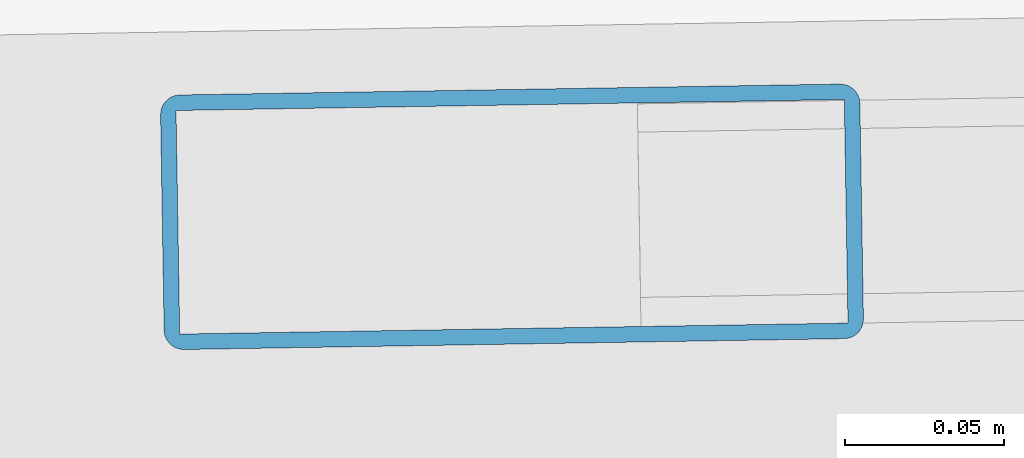
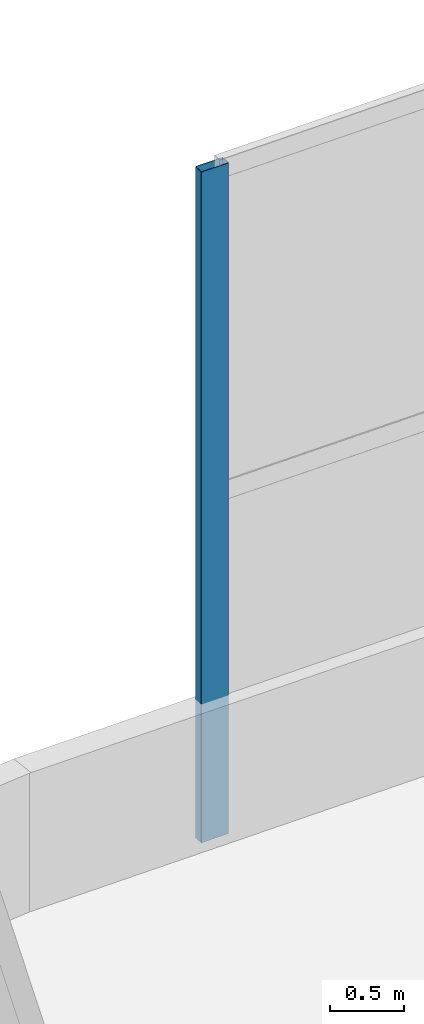
# One storey, part 4 of 15: 1 member, 1 element without a shape of its own.
"""IFC4 building model written with IfcOpenShell, lengths in metres."""

from ifc_helpers import new_model, si_unit, direction, frame, origin, origin_2d, place, context, subcontext, project, spatial, hollow_rectangle, extrude, material, material_profile, profile_set, type_object, element, aggregate, save


model = new_model("IFC4")

# Units and contexts
model_context = context("Model", 3, precision=1e-05, world=origin(), true_north=direction((0.0, 1.0)))
body_context = subcontext(model_context, "Body", "Model", "MODEL_VIEW")
ifc_project = project(units=[si_unit("LENGTHUNIT", "METRE"), si_unit("AREAUNIT", "SQUARE_METRE"), si_unit("VOLUMEUNIT", "CUBIC_METRE"), si_unit("PLANEANGLEUNIT", "RADIAN"), si_unit("MASSUNIT", "GRAM", prefix="KILO")], contexts=[model_context])

# Site, building, storey
site_placement = place(None, origin())
site = spatial("IfcSite", under=ifc_project, at=site_placement, CompositionType="ELEMENT")
building_placement = place(site_placement, origin())
building = spatial("IfcBuilding", under=site, at=building_placement, Name="Narakoshi Arena Tower", CompositionType="ELEMENT")
storey_placement = place(building_placement, frame((0.0, 0.0, 292.419921875)))
storey = spatial("IfcBuildingStorey", under=building, at=storey_placement, Name="L80", CompositionType="ELEMENT", Elevation=292.419921875)

# Curtain wall, member
ifc_material_1 = material(Name="Clear low-iron laminated structural glass", Category="glass")
curtain_wall_type = type_object("IfcCurtainWallType", Name="CW-OBS-TMD", PredefinedType="NOTDEFINED", material=ifc_material_1)
curtain_wall_placement = place(storey_placement, origin())
curtain_wall = element("IfcCurtainWall", 1, at=curtain_wall_placement, inside=storey, type_object=curtain_wall_type, Name="L80 Folded Hypotenuse Curtain Wall 1-2", PredefinedType="NOTDEFINED")
ifc_material_2 = material(Name="Anodised bronze aluminium 6063-T6", Category="aluminium")
ifc_material_profile = material_profile(ifc_material_2, hollow_rectangle(XDim=0.080078125, YDim=0.219970703125, WallThickness=0.0048828125, OuterFilletRadius=0.006103515625, at=origin_2d()), Name="MUL220x80x5")
ifc_profile_set = profile_set([ifc_material_profile], Name="Anodised bronze aluminium 6063-T6")
member_type = type_object("IfcMemberType", Name="MEM-MUL-220", PredefinedType="MULLION", material=ifc_profile_set)
member_placement = place(storey_placement, frame((83.08056640625, 63.668212890625, 0.0), z_axis=(0.0, 0.0, 1.0), x_axis=(0.016437304499, -0.999864898384, 0.0)))
member = element("IfcMember", 2, at=member_placement, type_object=member_type, Name="CW-05 mullion 5", PredefinedType="MULLION", context=body_context, shape_type="SweptSolid", body=[
    extrude(hollow_rectangle(XDim=0.080078125, YDim=0.219970703125, WallThickness=0.0048828125, OuterFilletRadius=0.006103515625, at=origin_2d()), origin(), (0.0, 0.0, 1.0), 5.56005859375),
])
aggregate(curtain_wall, [member])

save(model, "model.ifc")
